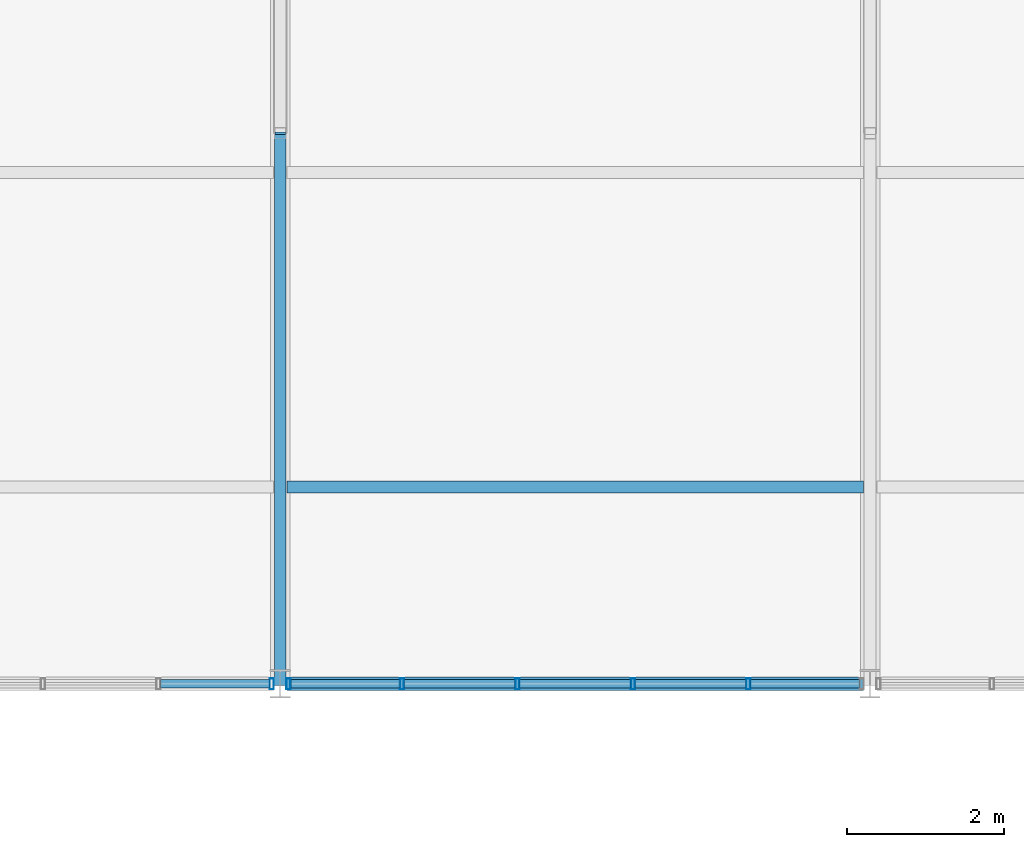
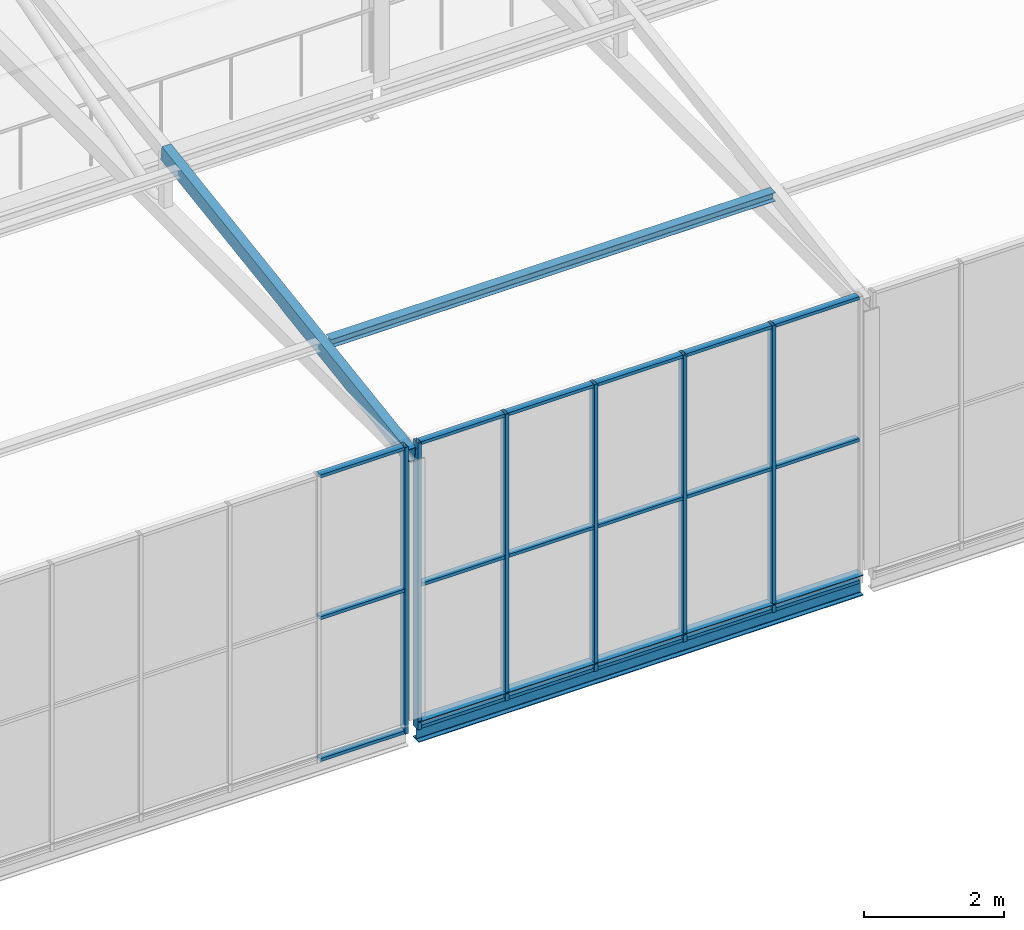
# One storey, part 33 of 104: 25 members, 2 beams, 2 elements without a shape of their own.
"""IFC4 building model written with IfcOpenShell, lengths in metres."""

from ifc_helpers import new_model, si_unit, direction, frame, origin, origin_2d, place, context, subcontext, project, spatial, hollow_rectangle, i_section, extrude, material, layer, layer_set, material_profile, profile_set, type_object, element, aggregate, save


model = new_model("IFC4")

# Units and contexts
model_context = context("Model", 3, precision=1e-05, world=origin(), true_north=direction((0.0, 1.0)))
body_context = subcontext(model_context, "Body", "Model", "MODEL_VIEW")
ifc_project = project(units=[si_unit("LENGTHUNIT", "METRE"), si_unit("AREAUNIT", "SQUARE_METRE"), si_unit("VOLUMEUNIT", "CUBIC_METRE"), si_unit("PLANEANGLEUNIT", "RADIAN"), si_unit("MASSUNIT", "GRAM", prefix="KILO")], contexts=[model_context])

# Site, building, storey
site_placement = place(None, origin())
site = spatial("IfcSite", under=ifc_project, at=site_placement, CompositionType="ELEMENT")
building_placement = place(site_placement, origin())
building = spatial("IfcBuilding", under=site, at=building_placement, Name="Solvenia Promenade Tram Depot", CompositionType="ELEMENT")
storey_placement = place(building_placement, frame((0.0, 0.0, 9.0)))
storey = spatial("IfcBuildingStorey", under=building, at=storey_placement, Name="L02", CompositionType="ELEMENT", Elevation=9.0)

# Curtain wall, member
ifc_material_1 = material(Name="Anodized aluminium AW-6063 T6", Category="aluminium")
ifc_layer = layer(ifc_material_1, 0.080078125, Name="Anodized aluminium AW-6063 T6", Category="aluminium")
ifc_layer_set = layer_set([ifc_layer], Name="Anodized aluminium AW-6063 T6")
curtain_wall_type = type_object("IfcCurtainWallType", Name="CW-Clerest-1500", PredefinedType="NOTDEFINED", material=ifc_layer_set)
curtain_wall_1_placement = place(storey_placement, origin())
curtain_wall_1 = element("IfcCurtainWall", 1, at=curtain_wall_1_placement, inside=storey, type_object=curtain_wall_type, Name="Curtain Wall CW-V2S-L2-01", PredefinedType="NOTDEFINED")
ifc_material_profile_1 = material_profile(ifc_material_1, hollow_rectangle(XDim=0.139892578125, YDim=0.054931640625, WallThickness=0.00390625, at=origin_2d()), Name="ALU-M4", Category="aluminium")
ifc_profile_set_1 = profile_set([ifc_material_profile_1], Name="Anodized aluminium AW-6063 T6")
member_type_1 = type_object("IfcMemberType", Name="CWM-Mullion-4", PredefinedType="MULLION", material=ifc_profile_set_1)
member_1_placement = place(storey_placement, frame((112.392578125, 24.0, -0.300048828125), z_axis=(0.0, 0.0, 1.0), x_axis=(0.0, 1.0, 0.0)))
member_1 = element("IfcMember", 2, at=member_1_placement, type_object=member_type_1, Name="CW-4 mullion 6", PredefinedType="MULLION", context=body_context, shape_type="SweptSolid", body=[
    extrude(hollow_rectangle(XDim=0.139892578125, YDim=0.054931640625, WallThickness=0.00390625, at=origin_2d()), origin(), (0.0, 0.0, 1.0), 5.0),
])

# Curtain wall, members
curtain_wall_2_placement = place(storey_placement, origin())
curtain_wall_2 = element("IfcCurtainWall", 3, at=curtain_wall_2_placement, inside=storey, type_object=curtain_wall_type, Name="Curtain Wall CW-V2S-L2-02", PredefinedType="NOTDEFINED")
member_2_placement = place(storey_placement, frame((112.607421875, 24.0, -0.300048828125), z_axis=(0.0, 0.0, 1.0), x_axis=(0.0, 1.0, 0.0)))
member_2 = element("IfcMember", 4, at=member_2_placement, type_object=member_type_1, Name="CW-4 mullion 1", PredefinedType="MULLION", context=body_context, shape_type="SweptSolid", body=[
    extrude(hollow_rectangle(XDim=0.139892578125, YDim=0.054931640625, WallThickness=0.00390625, at=origin_2d()), origin(), (0.0, 0.0, 1.0), 5.0),
])
member_3_placement = place(storey_placement, frame((114.048095703125, 24.0, -0.300048828125), z_axis=(0.0, 0.0, 1.0), x_axis=(0.0, 1.0, 0.0)))
member_3 = element("IfcMember", 5, at=member_3_placement, type_object=member_type_1, Name="CW-4 mullion 2", PredefinedType="MULLION", context=body_context, shape_type="SweptSolid", body=[
    extrude(hollow_rectangle(XDim=0.139892578125, YDim=0.054931640625, WallThickness=0.00390625, at=origin_2d()), origin(), (0.0, 0.0, 1.0), 5.0),
])
member_4_placement = place(storey_placement, frame((115.51611328125, 24.0, -0.300048828125), z_axis=(0.0, 0.0, 1.0), x_axis=(0.0, 1.0, 0.0)))
member_4 = element("IfcMember", 6, at=member_4_placement, type_object=member_type_1, Name="CW-4 mullion 3", PredefinedType="MULLION", context=body_context, shape_type="SweptSolid", body=[
    extrude(hollow_rectangle(XDim=0.139892578125, YDim=0.054931640625, WallThickness=0.00390625, at=origin_2d()), origin(), (0.0, 0.0, 1.0), 5.0),
])
member_5_placement = place(storey_placement, frame((116.98388671875, 24.0, -0.300048828125), z_axis=(0.0, 0.0, 1.0), x_axis=(0.0, 1.0, 0.0)))
member_5 = element("IfcMember", 7, at=member_5_placement, type_object=member_type_1, Name="CW-4 mullion 4", PredefinedType="MULLION", context=body_context, shape_type="SweptSolid", body=[
    extrude(hollow_rectangle(XDim=0.139892578125, YDim=0.054931640625, WallThickness=0.00390625, at=origin_2d()), origin(), (0.0, 0.0, 1.0), 5.0),
])
member_6_placement = place(storey_placement, frame((118.451904296875, 24.0, -0.300048828125), z_axis=(0.0, 0.0, 1.0), x_axis=(0.0, 1.0, 0.0)))
member_6 = element("IfcMember", 8, at=member_6_placement, type_object=member_type_1, Name="CW-4 mullion 5", PredefinedType="MULLION", context=body_context, shape_type="SweptSolid", body=[
    extrude(hollow_rectangle(XDim=0.139892578125, YDim=0.054931640625, WallThickness=0.00390625, at=origin_2d()), origin(), (0.0, 0.0, 1.0), 5.0),
])

# Member
ifc_material_profile_2 = material_profile(ifc_material_1, hollow_rectangle(XDim=0.110107421875, YDim=0.054931640625, WallThickness=0.00390625, at=origin_2d()), Name="ALU-T4", Category="aluminium")
ifc_profile_set_2 = profile_set([ifc_material_profile_2], Name="Anodized aluminium AW-6063 T6")
member_type_2 = type_object("IfcMemberType", Name="CWT-Transom-4", PredefinedType="USERDEFINED", material=ifc_profile_set_2)
member_7_placement = place(storey_placement, frame((110.9794921875, 24.0, -0.2724609375), z_axis=(1.0, 0.0, 0.0), x_axis=(0.0, 1.0, 0.0)))
member_7 = element("IfcMember", 9, at=member_7_placement, type_object=member_type_2, Name="CW-4 transom 5.1", ObjectType="TRANSOM", PredefinedType="USERDEFINED", context=body_context, shape_type="SweptSolid", body=[
    extrude(hollow_rectangle(XDim=0.110107421875, YDim=0.054931640625, WallThickness=0.00390625, at=origin_2d()), origin(), (0.0, 0.0, 1.0), 1.385498046875),
])

member_8_placement = place(storey_placement, frame((110.9794921875, 24.0, 2.199951171875), z_axis=(1.0, 0.0, 0.0), x_axis=(0.0, 1.0, 0.0)))
member_8 = element("IfcMember", 10, at=member_8_placement, type_object=member_type_2, Name="CW-4 transom 5.2", ObjectType="TRANSOM", PredefinedType="USERDEFINED", context=body_context, shape_type="SweptSolid", body=[
    extrude(hollow_rectangle(XDim=0.110107421875, YDim=0.054931640625, WallThickness=0.00390625, at=origin_2d()), origin(), (0.0, 0.0, 1.0), 1.385498046875),
])

member_9_placement = place(storey_placement, frame((110.9794921875, 24.0, 4.672607421875), z_axis=(1.0, 0.0, 0.0), x_axis=(0.0, 1.0, 0.0)))
member_9 = element("IfcMember", 11, at=member_9_placement, type_object=member_type_2, Name="CW-4 transom 5.3", ObjectType="TRANSOM", PredefinedType="USERDEFINED", context=body_context, shape_type="SweptSolid", body=[
    extrude(hollow_rectangle(XDim=0.110107421875, YDim=0.054931640625, WallThickness=0.00390625, at=origin_2d()), origin(), (0.0, 0.0, 1.0), 1.385498046875),
])

aggregate(curtain_wall_1, [member_1, member_7, member_8, member_9])

member_10_placement = place(storey_placement, frame((112.635009765625, 24.0, -0.2724609375), z_axis=(1.0, 0.0, 0.0), x_axis=(0.0, 1.0, 0.0)))
member_10 = element("IfcMember", 12, at=member_10_placement, type_object=member_type_2, Name="CW-4 transom 1.1", ObjectType="TRANSOM", PredefinedType="USERDEFINED", context=body_context, shape_type="SweptSolid", body=[
    extrude(hollow_rectangle(XDim=0.110107421875, YDim=0.054931640625, WallThickness=0.00390625, at=origin_2d()), origin(), (0.0, 0.0, 1.0), 1.385498046875),
])

member_11_placement = place(storey_placement, frame((112.635009765625, 24.0, 2.199951171875), z_axis=(1.0, 0.0, 0.0), x_axis=(0.0, 1.0, 0.0)))
member_11 = element("IfcMember", 13, at=member_11_placement, type_object=member_type_2, Name="CW-4 transom 1.2", ObjectType="TRANSOM", PredefinedType="USERDEFINED", context=body_context, shape_type="SweptSolid", body=[
    extrude(hollow_rectangle(XDim=0.110107421875, YDim=0.054931640625, WallThickness=0.00390625, at=origin_2d()), origin(), (0.0, 0.0, 1.0), 1.385498046875),
])

member_12_placement = place(storey_placement, frame((112.635009765625, 24.0, 4.672607421875), z_axis=(1.0, 0.0, 0.0), x_axis=(0.0, 1.0, 0.0)))
member_12 = element("IfcMember", 14, at=member_12_placement, type_object=member_type_2, Name="CW-4 transom 1.3", ObjectType="TRANSOM", PredefinedType="USERDEFINED", context=body_context, shape_type="SweptSolid", body=[
    extrude(hollow_rectangle(XDim=0.110107421875, YDim=0.054931640625, WallThickness=0.00390625, at=origin_2d()), origin(), (0.0, 0.0, 1.0), 1.385498046875),
])

member_13_placement = place(storey_placement, frame((114.075439453125, 24.0, -0.2724609375), z_axis=(1.0, 0.0, 0.0), x_axis=(0.0, 1.0, 0.0)))
member_13 = element("IfcMember", 15, at=member_13_placement, type_object=member_type_2, Name="CW-4 transom 2.1", ObjectType="TRANSOM", PredefinedType="USERDEFINED", context=body_context, shape_type="SweptSolid", body=[
    extrude(hollow_rectangle(XDim=0.110107421875, YDim=0.054931640625, WallThickness=0.00390625, at=origin_2d()), origin(), (0.0, 0.0, 1.0), 1.4130859375),
])

member_14_placement = place(storey_placement, frame((114.075439453125, 24.0, 2.199951171875), z_axis=(1.0, 0.0, 0.0), x_axis=(0.0, 1.0, 0.0)))
member_14 = element("IfcMember", 16, at=member_14_placement, type_object=member_type_2, Name="CW-4 transom 2.2", ObjectType="TRANSOM", PredefinedType="USERDEFINED", context=body_context, shape_type="SweptSolid", body=[
    extrude(hollow_rectangle(XDim=0.110107421875, YDim=0.054931640625, WallThickness=0.00390625, at=origin_2d()), origin(), (0.0, 0.0, 1.0), 1.4130859375),
])

member_15_placement = place(storey_placement, frame((114.075439453125, 24.0, 4.672607421875), z_axis=(1.0, 0.0, 0.0), x_axis=(0.0, 1.0, 0.0)))
member_15 = element("IfcMember", 17, at=member_15_placement, type_object=member_type_2, Name="CW-4 transom 2.3", ObjectType="TRANSOM", PredefinedType="USERDEFINED", context=body_context, shape_type="SweptSolid", body=[
    extrude(hollow_rectangle(XDim=0.110107421875, YDim=0.054931640625, WallThickness=0.00390625, at=origin_2d()), origin(), (0.0, 0.0, 1.0), 1.4130859375),
])

member_16_placement = place(storey_placement, frame((115.54345703125, 24.0, -0.2724609375), z_axis=(1.0, 0.0, 0.0), x_axis=(0.0, 1.0, 0.0)))
member_16 = element("IfcMember", 18, at=member_16_placement, type_object=member_type_2, Name="CW-4 transom 3.1", ObjectType="TRANSOM", PredefinedType="USERDEFINED", context=body_context, shape_type="SweptSolid", body=[
    extrude(hollow_rectangle(XDim=0.110107421875, YDim=0.054931640625, WallThickness=0.00390625, at=origin_2d()), origin(), (0.0, 0.0, 1.0), 1.4130859375),
])

member_17_placement = place(storey_placement, frame((115.54345703125, 24.0, 2.199951171875), z_axis=(1.0, 0.0, 0.0), x_axis=(0.0, 1.0, 0.0)))
member_17 = element("IfcMember", 19, at=member_17_placement, type_object=member_type_2, Name="CW-4 transom 3.2", ObjectType="TRANSOM", PredefinedType="USERDEFINED", context=body_context, shape_type="SweptSolid", body=[
    extrude(hollow_rectangle(XDim=0.110107421875, YDim=0.054931640625, WallThickness=0.00390625, at=origin_2d()), origin(), (0.0, 0.0, 1.0), 1.4130859375),
])

member_18_placement = place(storey_placement, frame((115.54345703125, 24.0, 4.672607421875), z_axis=(1.0, 0.0, 0.0), x_axis=(0.0, 1.0, 0.0)))
member_18 = element("IfcMember", 20, at=member_18_placement, type_object=member_type_2, Name="CW-4 transom 3.3", ObjectType="TRANSOM", PredefinedType="USERDEFINED", context=body_context, shape_type="SweptSolid", body=[
    extrude(hollow_rectangle(XDim=0.110107421875, YDim=0.054931640625, WallThickness=0.00390625, at=origin_2d()), origin(), (0.0, 0.0, 1.0), 1.4130859375),
])

member_19_placement = place(storey_placement, frame((117.011474609375, 24.0, -0.2724609375), z_axis=(1.0, 0.0, 0.0), x_axis=(0.0, 1.0, 0.0)))
member_19 = element("IfcMember", 21, at=member_19_placement, type_object=member_type_2, Name="CW-4 transom 4.1", ObjectType="TRANSOM", PredefinedType="USERDEFINED", context=body_context, shape_type="SweptSolid", body=[
    extrude(hollow_rectangle(XDim=0.110107421875, YDim=0.054931640625, WallThickness=0.00390625, at=origin_2d()), origin(), (0.0, 0.0, 1.0), 1.4130859375),
])

member_20_placement = place(storey_placement, frame((117.011474609375, 24.0, 2.199951171875), z_axis=(1.0, 0.0, 0.0), x_axis=(0.0, 1.0, 0.0)))
member_20 = element("IfcMember", 22, at=member_20_placement, type_object=member_type_2, Name="CW-4 transom 4.2", ObjectType="TRANSOM", PredefinedType="USERDEFINED", context=body_context, shape_type="SweptSolid", body=[
    extrude(hollow_rectangle(XDim=0.110107421875, YDim=0.054931640625, WallThickness=0.00390625, at=origin_2d()), origin(), (0.0, 0.0, 1.0), 1.4130859375),
])

member_21_placement = place(storey_placement, frame((117.011474609375, 24.0, 4.672607421875), z_axis=(1.0, 0.0, 0.0), x_axis=(0.0, 1.0, 0.0)))
member_21 = element("IfcMember", 23, at=member_21_placement, type_object=member_type_2, Name="CW-4 transom 4.3", ObjectType="TRANSOM", PredefinedType="USERDEFINED", context=body_context, shape_type="SweptSolid", body=[
    extrude(hollow_rectangle(XDim=0.110107421875, YDim=0.054931640625, WallThickness=0.00390625, at=origin_2d()), origin(), (0.0, 0.0, 1.0), 1.4130859375),
])

member_22_placement = place(storey_placement, frame((118.4794921875, 24.0, -0.2724609375), z_axis=(1.0, 0.0, 0.0), x_axis=(0.0, 1.0, 0.0)))
member_22 = element("IfcMember", 24, at=member_22_placement, type_object=member_type_2, Name="CW-4 transom 5.1", ObjectType="TRANSOM", PredefinedType="USERDEFINED", context=body_context, shape_type="SweptSolid", body=[
    extrude(hollow_rectangle(XDim=0.110107421875, YDim=0.054931640625, WallThickness=0.00390625, at=origin_2d()), origin(), (0.0, 0.0, 1.0), 1.385498046875),
])

member_23_placement = place(storey_placement, frame((118.4794921875, 24.0, 2.199951171875), z_axis=(1.0, 0.0, 0.0), x_axis=(0.0, 1.0, 0.0)))
member_23 = element("IfcMember", 25, at=member_23_placement, type_object=member_type_2, Name="CW-4 transom 5.2", ObjectType="TRANSOM", PredefinedType="USERDEFINED", context=body_context, shape_type="SweptSolid", body=[
    extrude(hollow_rectangle(XDim=0.110107421875, YDim=0.054931640625, WallThickness=0.00390625, at=origin_2d()), origin(), (0.0, 0.0, 1.0), 1.385498046875),
])

member_24_placement = place(storey_placement, frame((118.4794921875, 24.0, 4.672607421875), z_axis=(1.0, 0.0, 0.0), x_axis=(0.0, 1.0, 0.0)))
member_24 = element("IfcMember", 26, at=member_24_placement, type_object=member_type_2, Name="CW-4 transom 5.3", ObjectType="TRANSOM", PredefinedType="USERDEFINED", context=body_context, shape_type="SweptSolid", body=[
    extrude(hollow_rectangle(XDim=0.110107421875, YDim=0.054931640625, WallThickness=0.00390625, at=origin_2d()), origin(), (0.0, 0.0, 1.0), 1.385498046875),
])

aggregate(curtain_wall_2, [member_2, member_3, member_4, member_5, member_6, member_10, member_11, member_12, member_13, member_14, member_15, member_16, member_17, member_18, member_19, member_20, member_21, member_22, member_23, member_24])

ifc_material_2 = material(Name="Structural steel ASTM A500 Gr. C", Category="steel")
ifc_material_profile_3 = material_profile(ifc_material_2, hollow_rectangle(XDim=0.14990234375, YDim=0.25, WallThickness=0.010009765625, at=origin_2d()), Name="HSS250x150x10", Category="steel")
ifc_profile_set_3 = profile_set([ifc_material_profile_3], Name="Structural steel ASTM A500 Gr. C")
member_type_3 = type_object("IfcMemberType", Name="Chord-HSS250x150x10", PredefinedType="CHORD", material=ifc_profile_set_3)
member_25_placement = place(storey_placement, frame((112.5, 24.0, 4.47998046875), z_axis=(0.0, 0.988935340875, 0.148347199397), x_axis=(-1.0, 0.0, 0.0)))
element("IfcMember", 27, at=member_25_placement, inside=storey, type_object=member_type_3, Name="Crane Hall Clerestory Rafter 02S", PredefinedType="CHORD", context=body_context, shape_type="SweptSolid", body=[
    extrude(hollow_rectangle(XDim=0.14990234375, YDim=0.25, WallThickness=0.010009765625, at=origin_2d()), origin(), (0.0, 0.0, 1.0), 7.078369140625),
])

# Beams
ifc_material_3 = material(Name="Structural steel ASTM A992 Gr. 50", Category="steel")
ifc_material_profile_4 = material_profile(ifc_material_3, i_section(OverallWidth=0.152099609375, OverallDepth=0.152099609375, WebThickness=0.005859375, FlangeThickness=0.006591796875, FilletRadius=0.008056640625, at=origin_2d()), Name="W150x22", Category="steel")
ifc_profile_set_4 = profile_set([ifc_material_profile_4], Name="Structural steel ASTM A992 Gr. 50")
beam_type_1 = type_object("IfcBeamType", Name="Purlin-W150x22", PredefinedType="USERDEFINED", material=ifc_profile_set_4)
beam_1_placement = place(storey_placement, frame((112.5849609375, 26.5, 4.919921875), z_axis=(1.0, 0.0, 0.0), x_axis=(0.0, 1.0, 0.0)))
element("IfcBeam", 28, at=beam_1_placement, inside=storey, type_object=beam_type_1, Name="Clerestory Purlin 0203", ObjectType="PURLIN", PredefinedType="USERDEFINED", context=body_context, shape_type="SweptSolid", body=[
    extrude(i_section(OverallWidth=0.152099609375, OverallDepth=0.152099609375, WebThickness=0.005859375, FlangeThickness=0.006591796875, FilletRadius=0.008056640625, at=origin_2d()), origin(), (0.0, 0.0, 1.0), 7.330078125),
])
ifc_material_profile_5 = material_profile(ifc_material_3, i_section(OverallWidth=0.172119140625, OverallDepth=0.35791015625, WebThickness=0.0078125, FlangeThickness=0.01318359375, FilletRadius=0.010986328125, at=origin_2d()), Name="W360x57", Category="steel")
ifc_profile_set_5 = profile_set([ifc_material_profile_5], Name="Structural steel ASTM A992 Gr. 50")
beam_type_2 = type_object("IfcBeamType", Name="Spandrel-W360x57", PredefinedType="SPANDREL", material=ifc_profile_set_5)
beam_2_placement = place(storey_placement, frame((112.5849609375, 24.0, -0.3291015625), z_axis=(1.0, 0.0, 0.0), x_axis=(0.0, 1.0, 0.0)))
element("IfcBeam", 29, at=beam_2_placement, inside=storey, type_object=beam_type_2, Name="Crane Hall L02 Facade Girt BM-L02-0991", PredefinedType="SPANDREL", context=body_context, shape_type="SweptSolid", body=[
    extrude(i_section(OverallWidth=0.172119140625, OverallDepth=0.35791015625, WebThickness=0.0078125, FlangeThickness=0.01318359375, FilletRadius=0.010986328125, at=origin_2d()), origin(), (0.0, 0.0, 1.0), 7.330078125),
])

save(model, "model.ifc")
